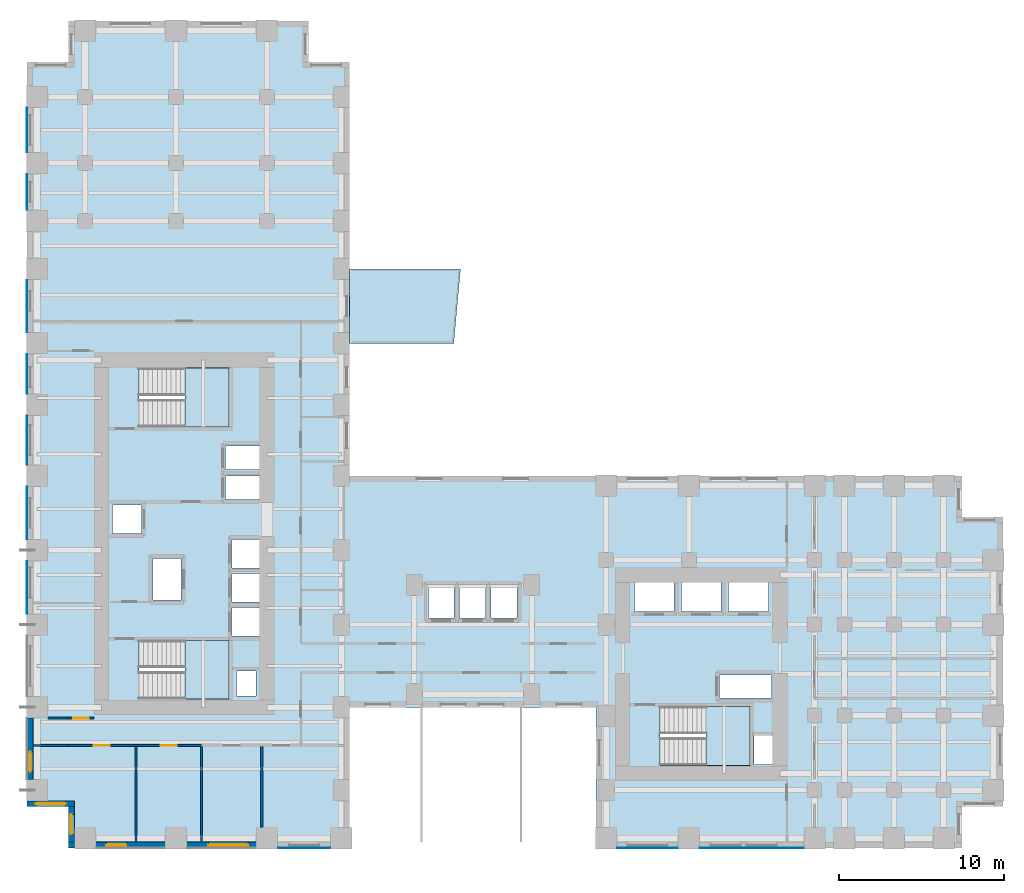
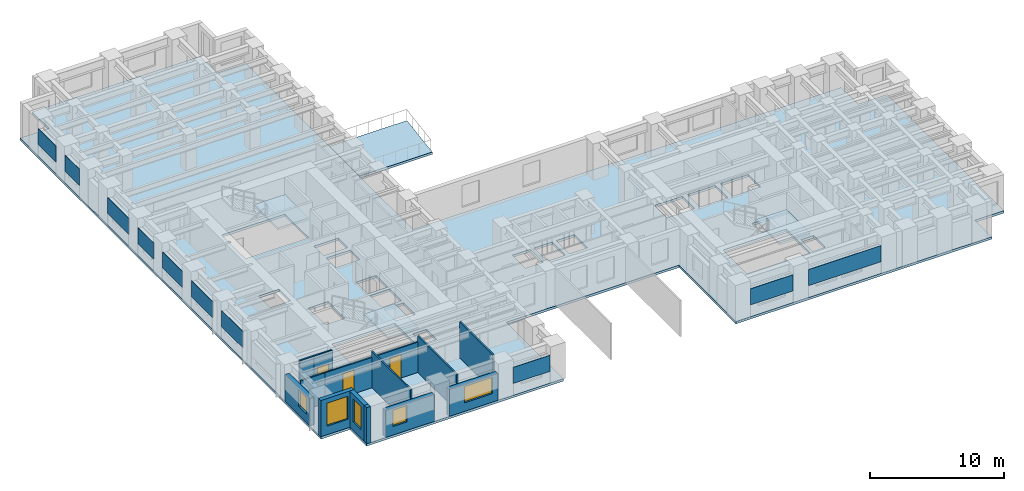
# One storey, part 3 of 11: 14 walls, 10 plates, 5 slabs, 5 windows, 3 doors, 8 openings, 3 elements without a shape of their own.
"""IFC4 building model written with IfcOpenShell, lengths in metres."""

from ifc_helpers import new_model, si_unit, direction, frame, frame_2d, origin, origin_2d, place, context, subcontext, project, spatial, polyline, rectangle, outline, extrude, source, transform, mapped, material, layer, layer_set, type_object, element, fill, aggregate, save


model = new_model("IFC4")

# Units and contexts
model_context = context("Model", 3, precision=1e-05, world=origin(), true_north=direction((0.0, 1.0)))
body_context = subcontext(model_context, "Body", "Model", "MODEL_VIEW")
ifc_project = project(units=[si_unit("LENGTHUNIT", "METRE"), si_unit("AREAUNIT", "SQUARE_METRE"), si_unit("VOLUMEUNIT", "CUBIC_METRE"), si_unit("PLANEANGLEUNIT", "RADIAN"), si_unit("MASSUNIT", "GRAM", prefix="KILO")], contexts=[model_context])

# Site, building, storey
site_placement = place(None, origin())
site = spatial("IfcSite", under=ifc_project, at=site_placement, CompositionType="ELEMENT")
building_placement = place(site_placement, origin())
building = spatial("IfcBuilding", under=site, at=building_placement, Name="Kharzan Plaza Tower", CompositionType="ELEMENT")
storey_placement = place(building_placement, frame((0.0, 0.0, 69.300048828125)))
storey = spatial("IfcBuildingStorey", under=building, at=storey_placement, Name="L18", CompositionType="ELEMENT", Elevation=69.300048828125)

# Slab
ifc_material_1 = material(Name="Concrete C40/50", Category="concrete")
ifc_layer_1 = layer(ifc_material_1, 0.219970703125)
ifc_layer_set_1 = layer_set([ifc_layer_1], Name="Concrete C40/50")
slab_type_1 = type_object("IfcSlabType", Name="SL-FLOOR-220", PredefinedType="FLOOR", material=ifc_layer_set_1)
slab_1_placement = place(storey_placement, frame((0.0, 0.0, -0.219970703125)))
element("IfcSlab", 1, at=slab_1_placement, inside=storey, type_object=slab_type_1, Name="L18 Composite Structural Floor Slab 220 mm", PredefinedType="FLOOR", context=body_context, shape_type="SweptSolid", body=[
    extrude(outline(polyline([(34.39990234375, 22.5), (19.5, 22.5), (19.5, 47.5), (17.0, 47.5), (17.0, 50.0), (2.5, 50.0), (2.5, 47.5), (0.0, 47.5), (0.0, 2.5), (2.5, 2.5), (2.5, 0.0), (19.5, 0.0), (19.5, 8.5), (34.39990234375, 8.5), (34.39990234375, 0.0), (56.5, 0.0), (56.5, 2.5), (59.0, 2.5), (59.0, 20.0), (56.5, 20.0), (56.5, 22.5), (34.39990234375, 22.5)]), holes=[polyline([(13.85009765625, 9.199951171875), (13.85009765625, 10.699951171875), (12.64990234375, 10.699951171875), (12.64990234375, 9.199951171875), (13.85009765625, 9.199951171875)]), polyline([(12.199951171875, 9.0), (12.199951171875, 12.550048828125), (6.75, 12.550048828125), (6.75, 9.0), (12.199951171875, 9.0)]), polyline([(14.10009765625, 12.800048828125), (14.10009765625, 14.530029296875), (12.39990234375, 14.530029296875), (12.39990234375, 12.800048828125), (14.10009765625, 12.800048828125)]), polyline([(14.10009765625, 14.8701171875), (14.10009765625, 16.60009765625), (12.39990234375, 16.60009765625), (12.39990234375, 14.8701171875), (14.10009765625, 14.8701171875)]), polyline([(9.300048828125, 15.0), (9.300048828125, 17.5), (7.60009765625, 17.5), (7.60009765625, 15.0), (9.300048828125, 15.0)]), polyline([(14.10009765625, 16.93994140625), (14.10009765625, 18.64990234375), (12.39990234375, 18.64990234375), (12.39990234375, 16.93994140625), (14.10009765625, 16.93994140625)]), polyline([(6.89990234375, 19.010009765625), (6.89990234375, 20.72998046875), (5.14990234375, 20.72998046875), (5.14990234375, 19.010009765625), (6.89990234375, 19.010009765625)]), polyline([(12.0, 21.070068359375), (14.10009765625, 21.070068359375), (14.10009765625, 22.489990234375), (12.0, 22.489990234375), (12.0, 21.070068359375)]), polyline([(12.0, 22.8701171875), (14.10009765625, 22.8701171875), (14.10009765625, 24.2900390625), (12.0, 24.2900390625), (12.0, 22.8701171875)]), polyline([(12.199951171875, 25.449951171875), (12.199951171875, 29.0), (6.75, 29.0), (6.75, 25.449951171875), (12.199951171875, 25.449951171875)]), polyline([(45.050048828125, 5.050048828125), (45.050048828125, 6.800048828125), (43.949951171875, 6.800048828125), (43.949951171875, 5.050048828125), (45.050048828125, 5.050048828125)]), polyline([(43.699951171875, 5.0), (43.699951171875, 8.550048828125), (38.25, 8.550048828125), (38.25, 5.0), (43.699951171875, 5.0)]), polyline([(41.85009765625, 9.070068359375), (45.0, 9.070068359375), (45.0, 10.469970703125), (41.85009765625, 10.469970703125), (41.85009765625, 9.070068359375)]), polyline([(24.25, 13.89990234375), (25.800048828125, 13.89990234375), (25.800048828125, 15.85009765625), (24.25, 15.85009765625), (24.25, 13.89990234375)]), polyline([(27.699951171875, 13.89990234375), (27.699951171875, 15.85009765625), (26.14990234375, 15.85009765625), (26.14990234375, 13.89990234375), (27.699951171875, 13.89990234375)]), polyline([(29.60009765625, 13.89990234375), (29.60009765625, 15.85009765625), (28.050048828125, 15.85009765625), (28.050048828125, 13.89990234375), (29.60009765625, 13.89990234375)]), polyline([(39.10009765625, 14.300048828125), (39.10009765625, 16.14990234375), (36.699951171875, 16.14990234375), (36.699951171875, 14.300048828125), (39.10009765625, 14.300048828125)]), polyline([(39.550048828125, 14.300048828125), (41.949951171875, 14.300048828125), (41.949951171875, 16.14990234375), (39.550048828125, 16.14990234375), (39.550048828125, 14.300048828125)]), polyline([(42.39990234375, 14.300048828125), (44.800048828125, 14.300048828125), (44.800048828125, 16.14990234375), (42.39990234375, 16.14990234375), (42.39990234375, 14.300048828125)])]), origin(), (0.0, 0.0, 1.0), 0.219970703125),
])

# Stair, slab
stair_type_1 = type_object("IfcStairType", Name="STR-ST-1", PredefinedType="HALF_TURN_STAIR", material=ifc_material_1)
stair_1_placement = place(storey_placement, origin())
stair_1 = element("IfcStair", 2, at=stair_1_placement, inside=storey, type_object=stair_type_1, Name="L18 Protected Exit Stair ST-1", PredefinedType="HALF_TURN_STAIR")
ifc_layer_2 = layer(ifc_material_1, 0.219970703125)
ifc_layer_set_2 = layer_set([ifc_layer_2], Name="Concrete C40/50")
slab_type_2 = type_object("IfcSlabType", Name="SL-LANDING-220", PredefinedType="LANDING", material=ifc_layer_set_2)
slab_2_placement = place(storey_placement, frame((0.0, 0.0, 1.599853515625)))
slab_2 = element("IfcSlab", 3, at=slab_2_placement, type_object=slab_type_2, Name="ST-1 landing 1", PredefinedType="LANDING", context=body_context, shape_type="SweptSolid", body=[
    extrude(outline(polyline([(9.550048828125, 9.0), (12.199951171875, 9.0), (12.199951171875, 12.550048828125), (9.550048828125, 12.550048828125), (9.550048828125, 9.0)])), origin(), (0.0, 0.0, 1.0), 0.2001953125),
])
aggregate(stair_1, [slab_2])

stair_type_2 = type_object("IfcStairType", Name="STR-ST-2", PredefinedType="HALF_TURN_STAIR", material=ifc_material_1)
stair_2_placement = place(storey_placement, origin())
stair_2 = element("IfcStair", 4, at=stair_2_placement, inside=storey, type_object=stair_type_2, Name="L18 Protected Exit Stair ST-2", PredefinedType="HALF_TURN_STAIR")
slab_3_placement = place(storey_placement, frame((0.0, 0.0, 1.599853515625)))
slab_3 = element("IfcSlab", 5, at=slab_3_placement, type_object=slab_type_2, Name="ST-2 landing 1", PredefinedType="LANDING", context=body_context, shape_type="SweptSolid", body=[
    extrude(outline(polyline([(9.550048828125, 25.449951171875), (12.199951171875, 25.449951171875), (12.199951171875, 29.0), (9.550048828125, 29.0), (9.550048828125, 25.449951171875)])), origin(), (0.0, 0.0, 1.0), 0.2001953125),
])
aggregate(stair_2, [slab_3])

stair_type_3 = type_object("IfcStairType", Name="STR-ST-3", PredefinedType="HALF_TURN_STAIR", material=ifc_material_1)
stair_3_placement = place(storey_placement, origin())
stair_3 = element("IfcStair", 6, at=stair_3_placement, inside=storey, type_object=stair_type_3, Name="L18 Protected Exit Stair ST-3", PredefinedType="HALF_TURN_STAIR")
slab_4_placement = place(storey_placement, frame((0.0, 0.0, 1.599853515625)))
slab_4 = element("IfcSlab", 7, at=slab_4_placement, type_object=slab_type_2, Name="ST-3 landing 1", PredefinedType="LANDING", context=body_context, shape_type="SweptSolid", body=[
    extrude(outline(polyline([(41.050048828125, 5.0), (43.699951171875, 5.0), (43.699951171875, 8.550048828125), (41.050048828125, 8.550048828125), (41.050048828125, 5.0)])), origin(), (0.0, 0.0, 1.0), 0.2001953125),
])
aggregate(stair_3, [slab_4])

# Slab
ifc_layer_3 = layer(ifc_material_1, 0.215087890625)
ifc_layer_set_3 = layer_set([ifc_layer_3], Name="Concrete C40/50")
slab_type_3 = type_object("IfcSlabType", Name="SL-TRAY-215", PredefinedType="ROOF", material=ifc_layer_set_3)
slab_5_placement = place(storey_placement, frame((0.0, 0.0, -0.215087890625)))
element("IfcSlab", 8, at=slab_5_placement, inside=storey, type_object=slab_type_3, Name="L18 Sky Terrace Tray Slab", PredefinedType="ROOF", context=body_context, shape_type="SweptSolid", body=[
    extrude(outline(polyline([(19.5, 30.5), (25.7900390625, 30.5), (26.199951171875, 35.0), (19.5, 35.0), (19.5, 30.5)])), origin(), (0.0, 0.0, 1.0), 0.215087890625),
])

# Plates
ifc_material_2 = material(Name="Perforated Bronze-Anodized Aluminium", Category="aluminium")
ifc_layer_4 = layer(ifc_material_2, 0.030029296875)
ifc_layer_set_4 = layer_set([ifc_layer_4], Name="Perforated Bronze-Anodized Aluminium")
plate_type = type_object("IfcPlateType", Name="PLT-MASH-SCREEN", PredefinedType="SHEET", material=ifc_layer_set_4)
shared_shape_1 = source(origin(), body_context, "Body", "SweptSolid", [
    extrude(rectangle(XDim=2.6640625, YDim=0.030029296875, at=origin_2d()), origin(), (0.0, 0.0, 1.0), 1.469970703125),
])
plate_1_placement = place(storey_placement, frame((-0.012939453125, 43.39990234375, 1.0947265625), z_axis=(0.0, 0.0, 1.0), x_axis=(0.0, -1.0, 0.0)))
element("IfcPlate", 9, at=plate_1_placement, inside=storey, type_object=plate_type, Name="L18 Perforated Mashrabiya Solar Screen", PredefinedType="SHEET", context=body_context, shape_type="MappedRepresentation", body=[
    mapped(shared_shape_1, transform((0.0, 0.0, 0.0), x_axis=(1.0, 0.0, 0.0), y_axis=(0.0, 1.0, 0.0), z_axis=(0.0, 0.0, 1.0))),
])
shared_shape_2 = source(origin(), body_context, "Body", "SweptSolid", [
    extrude(rectangle(XDim=2.1640625, YDim=0.030029296875, at=origin_2d()), origin(), (0.0, 0.0, 1.0), 1.469970703125),
])
plate_2_placement = place(storey_placement, frame((-0.012939453125, 39.64990234375, 1.0947265625), z_axis=(0.0, 0.0, 1.0), x_axis=(0.0, -1.0, 0.0)))
element("IfcPlate", 10, at=plate_2_placement, inside=storey, type_object=plate_type, Name="L18 Perforated Mashrabiya Solar Screen", PredefinedType="SHEET", context=body_context, shape_type="MappedRepresentation", body=[
    mapped(shared_shape_2, transform((0.0, 0.0, 0.0), x_axis=(1.0, 0.0, 0.0), y_axis=(0.0, 1.0, 0.0), z_axis=(0.0, 0.0, 1.0))),
])
shared_shape_3 = source(origin(), body_context, "Body", "SweptSolid", [
    extrude(rectangle(XDim=3.1640625, YDim=0.030029296875, at=origin_2d()), origin(), (0.0, 0.0, 1.0), 1.469970703125),
])
for number, where, z_axis, x_axis, name in (
    (11, (-0.012939453125, 32.75, 1.0947265625), (0.0, 0.0, 1.0), (0.0, -1.0, 0.0), "L18 Perforated Mashrabiya Solar Screen"),
    (12, (-0.012939453125, 20.25, 1.0947265625), (0.0, 0.0, 1.0), (0.0, -1.0, 0.0), "L18 Perforated Mashrabiya Solar Screen"),
    (13, (-0.012939453125, 15.75, 1.0947265625), (0.0, 0.0, 1.0), (0.0, -1.0, 0.0), "L18 Perforated Mashrabiya Solar Screen"),
    (14, (16.75, -0.012939453125, 1.0947265625), (0.0, 0.0, 1.0), (1.0, 0.0, 0.0), "L18 Perforated Mashrabiya Solar Screen"),
):
    element("IfcPlate", number, at=place(storey_placement, frame(where, z_axis=z_axis, x_axis=x_axis)), inside=storey, type_object=plate_type, Name=name, PredefinedType="SHEET", context=body_context, shape_type="MappedRepresentation", body=[
        mapped(shared_shape_3, transform((0.0, 0.0, 0.0), x_axis=(1.0, 0.0, 0.0), y_axis=(0.0, 1.0, 0.0), z_axis=(0.0, 0.0, 1.0))),
    ])
shared_shape_4 = source(origin(), body_context, "Body", "SweptSolid", [
    extrude(rectangle(XDim=2.364013671875, YDim=0.030029296875, at=origin_2d()), origin(), (0.0, 0.0, 1.0), 1.469970703125),
])
plate_3_placement = place(storey_placement, frame((-0.012939453125, 28.64990234375, 1.0947265625), z_axis=(0.0, 0.0, 1.0), x_axis=(0.0, -1.0, 0.0)))
element("IfcPlate", 15, at=plate_3_placement, inside=storey, type_object=plate_type, Name="L18 Perforated Mashrabiya Solar Screen", PredefinedType="SHEET", context=body_context, shape_type="MappedRepresentation", body=[
    mapped(shared_shape_4, transform((0.0, 0.0, 0.0), x_axis=(1.0, 0.0, 0.0), y_axis=(0.0, 1.0, 0.0), z_axis=(0.0, 0.0, 1.0))),
])
shared_shape_5 = source(origin(), body_context, "Body", "SweptSolid", [
    extrude(rectangle(XDim=2.964111328125, YDim=0.030029296875, at=origin_2d()), origin(), (0.0, 0.0, 1.0), 1.469970703125),
])
plate_4_placement = place(storey_placement, frame((-0.012939453125, 24.64990234375, 1.0947265625), z_axis=(0.0, 0.0, 1.0), x_axis=(0.0, -1.0, 0.0)))
element("IfcPlate", 16, at=plate_4_placement, inside=storey, type_object=plate_type, Name="L18 Perforated Mashrabiya Solar Screen", PredefinedType="SHEET", context=body_context, shape_type="MappedRepresentation", body=[
    mapped(shared_shape_5, transform((0.0, 0.0, 0.0), x_axis=(1.0, 0.0, 0.0), y_axis=(0.0, 1.0, 0.0), z_axis=(0.0, 0.0, 1.0))),
])
shared_shape_6 = source(origin(), body_context, "Body", "SweptSolid", [
    extrude(rectangle(XDim=3.6640625, YDim=0.030029296875, at=origin_2d()), origin(), (0.0, 0.0, 1.0), 1.469970703125),
])
plate_5_placement = place(storey_placement, frame((37.5, -0.012939453125, 1.0947265625), z_axis=(0.0, 0.0, 1.0), x_axis=(1.0, 0.0, 0.0)))
element("IfcPlate", 17, at=plate_5_placement, inside=storey, type_object=plate_type, Name="L18 Perforated Mashrabiya Solar Screen", PredefinedType="SHEET", context=body_context, shape_type="MappedRepresentation", body=[
    mapped(shared_shape_6, transform((0.0, 0.0, 0.0), x_axis=(1.0, 0.0, 0.0), y_axis=(0.0, 1.0, 0.0), z_axis=(0.0, 0.0, 1.0))),
])
shared_shape_7 = source(origin(), body_context, "Body", "SweptSolid", [
    extrude(rectangle(XDim=6.263916015625, YDim=0.030029296875, at=origin_2d()), origin(), (0.0, 0.0, 1.0), 1.469970703125),
])
plate_6_placement = place(storey_placement, frame((43.800048828125, -0.012939453125, 1.0947265625), z_axis=(0.0, 0.0, 1.0), x_axis=(1.0, 0.0, 0.0)))
element("IfcPlate", 18, at=plate_6_placement, inside=storey, type_object=plate_type, Name="L18 Perforated Mashrabiya Solar Screen", PredefinedType="SHEET", context=body_context, shape_type="MappedRepresentation", body=[
    mapped(shared_shape_7, transform((0.0, 0.0, 0.0), x_axis=(1.0, 0.0, 0.0), y_axis=(0.0, 1.0, 0.0), z_axis=(0.0, 0.0, 1.0))),
])

# Wall, opening, window
ifc_layer_5 = layer(ifc_material_1, 0.35009765625)
ifc_layer_set_5 = layer_set([ifc_layer_5], Name="Concrete C40/50")
wall_type_1 = type_object("IfcWallType", Name="WL-EXT-MAS-Z1", PredefinedType="SOLIDWALL", material=ifc_layer_set_5)
wall_1_placement = place(storey_placement, frame((0.175048828125, 7.85205078125, 0.0), z_axis=(0.0, 0.0, 1.0), x_axis=(0.0, -1.0, 0.0)))
wall_1 = element("IfcWall", 19, at=wall_1_placement, inside=storey, type_object=wall_type_1, Name="L18 Masonry-Frame Exterior Wall 19", PredefinedType="SOLIDWALL", context=body_context, shape_type="SweptSolid", body=[
    extrude(rectangle(XDim=3.7041015625, YDim=0.35009765625, at=frame_2d((1.85205078125, 0.0))), origin(), (0.0, 0.0, 1.0), 2.449951171875),
])
opening_1_placement = place(wall_1_placement, frame((2.04296875, 0.0, 0.780029296875)))
opening_1 = element("IfcOpeningElement", 20, at=opening_1_placement, cuts=wall_1, Name="Opening W3", PredefinedType="OPENING", context=body_context, shape_type="SweptSolid", body=[
    extrude(rectangle(XDim=1.199951171875, YDim=1.489990234375, at=frame_2d((0.60009765625, 0.7451171875))), frame((0.0, 0.18505859375, 0.0), z_axis=(0.0, -1.0, 0.0), x_axis=(1.0, 0.0, 0.0)), (0.0, 0.0, 1.0), 0.3701171875),
])
ifc_material_3 = material(Name="Low-E Double Glazing", Category="glass")
window_type_1 = type_object("IfcWindowType", Name="WN-REC-1200x2100", PartitioningType="SINGLE_PANEL", PredefinedType="WINDOW", material=ifc_material_3)
shared_shape_8 = source(origin(), body_context, "Body", "SweptSolid", [
    extrude(rectangle(XDim=1.199951171875, YDim=1.489990234375, at=frame_2d((0.60009765625, 0.7451171875))), frame((0.0, 0.030029296875, 0.0), z_axis=(0.0, -1.0, 0.0), x_axis=(1.0, 0.0, 0.0)), (0.0, 0.0, 1.0), 0.06005859375),
])
window_1_placement = place(opening_1_placement, origin())
window_1 = element("IfcWindow", 21, at=window_1_placement, inside=storey, type_object=window_type_1, Name="L18 Recessed Solar-Control Window 19-1", OverallHeight=1.489990234375, OverallWidth=1.199951171875, PartitioningType="SINGLE_PANEL", PredefinedType="WINDOW", context=body_context, shape_type="MappedRepresentation", body=[
    mapped(shared_shape_8, transform((0.0, 0.0, 0.0), x_axis=(1.0, 0.0, 0.0), y_axis=(0.0, 1.0, 0.0), z_axis=(0.0, 0.0, 1.0))),
])
fill(opening_1, window_1)

wall_2_placement = place(storey_placement, frame((0.0, 2.675048828125, 0.0), z_axis=(0.0, 0.0, 1.0), x_axis=(1.0, 0.0, 0.0)))
wall_2 = element("IfcWall", 22, at=wall_2_placement, inside=storey, type_object=wall_type_1, Name="L18 Masonry-Frame Exterior Wall 20", PredefinedType="SOLIDWALL", context=body_context, shape_type="SweptSolid", body=[
    extrude(rectangle(XDim=2.85009765625, YDim=0.35009765625, at=frame_2d((1.425048828125, 0.0))), origin(), (0.0, 0.0, 1.0), 3.304931640625),
])
opening_2_placement = place(wall_2_placement, frame((0.52490234375, 0.0, 0.780029296875)))
opening_2 = element("IfcOpeningElement", 23, at=opening_2_placement, cuts=wall_2, Name="Opening W1", PredefinedType="OPENING", context=body_context, shape_type="SweptSolid", body=[
    extrude(rectangle(XDim=1.800048828125, YDim=2.10009765625, at=frame_2d((0.89990234375, 1.050048828125))), frame((0.0, 0.18505859375, 0.0), z_axis=(0.0, -1.0, 0.0), x_axis=(1.0, 0.0, 0.0)), (0.0, 0.0, 1.0), 0.3701171875),
])
window_type_2 = type_object("IfcWindowType", Name="WN-REC-1800x2100", PartitioningType="SINGLE_PANEL", PredefinedType="WINDOW", material=ifc_material_3)
shared_shape_9 = source(origin(), body_context, "Body", "SweptSolid", [
    extrude(rectangle(XDim=1.800048828125, YDim=2.10009765625, at=frame_2d((0.89990234375, 1.050048828125))), frame((0.0, 0.030029296875, 0.0), z_axis=(0.0, -1.0, 0.0), x_axis=(1.0, 0.0, 0.0)), (0.0, 0.0, 1.0), 0.06005859375),
])
window_2_placement = place(opening_2_placement, origin())
window_2 = element("IfcWindow", 24, at=window_2_placement, inside=storey, type_object=window_type_2, Name="L18 Recessed Solar-Control Window 20-1", OverallHeight=2.10009765625, OverallWidth=1.800048828125, PartitioningType="SINGLE_PANEL", PredefinedType="WINDOW", context=body_context, shape_type="MappedRepresentation", body=[
    mapped(shared_shape_9, transform((0.0, 0.0, 0.0), x_axis=(1.0, 0.0, 0.0), y_axis=(0.0, 1.0, 0.0), z_axis=(0.0, 0.0, 1.0))),
])
fill(opening_2, window_2)

wall_3_placement = place(storey_placement, frame((2.675048828125, 2.501953125, 0.0), z_axis=(0.0, 0.0, 1.0), x_axis=(0.0, -1.0, 0.0)))
wall_3 = element("IfcWall", 25, at=wall_3_placement, inside=storey, type_object=wall_type_1, Name="L18 Masonry-Frame Exterior Wall 21", PredefinedType="SOLIDWALL", context=body_context, shape_type="SweptSolid", body=[
    extrude(rectangle(XDim=2.154052734375, YDim=0.35009765625, at=frame_2d((1.0771484375, 0.0))), origin(), (0.0, 0.0, 1.0), 3.304931640625),
])
opening_3_placement = place(wall_3_placement, frame((0.47705078125, 0.0, 0.780029296875)))
opening_3 = element("IfcOpeningElement", 26, at=opening_3_placement, cuts=wall_3, Name="Opening W3", PredefinedType="OPENING", context=body_context, shape_type="SweptSolid", body=[
    extrude(rectangle(XDim=1.199951171875, YDim=2.10009765625, at=frame_2d((0.60009765625, 1.050048828125))), frame((0.0, 0.18505859375, 0.0), z_axis=(0.0, -1.0, 0.0), x_axis=(1.0, 0.0, 0.0)), (0.0, 0.0, 1.0), 0.3701171875),
])
shared_shape_10 = source(origin(), body_context, "Body", "SweptSolid", [
    extrude(rectangle(XDim=1.199951171875, YDim=2.10009765625, at=frame_2d((0.60009765625, 1.050048828125))), frame((0.0, 0.030029296875, 0.0), z_axis=(0.0, -1.0, 0.0), x_axis=(1.0, 0.0, 0.0)), (0.0, 0.0, 1.0), 0.06005859375),
])
window_3_placement = place(opening_3_placement, origin())
window_3 = element("IfcWindow", 27, at=window_3_placement, inside=storey, type_object=window_type_1, Name="L18 Recessed Solar-Control Window 21-1", OverallHeight=2.10009765625, OverallWidth=1.199951171875, PartitioningType="SINGLE_PANEL", PredefinedType="WINDOW", context=body_context, shape_type="MappedRepresentation", body=[
    mapped(shared_shape_10, transform((0.0, 0.0, 0.0), x_axis=(1.0, 0.0, 0.0), y_axis=(0.0, 1.0, 0.0), z_axis=(0.0, 0.0, 1.0))),
])
fill(opening_3, window_3)

wall_4_placement = place(storey_placement, frame((4.14794921875, 0.175048828125, 0.0), z_axis=(0.0, 0.0, 1.0), x_axis=(1.0, 0.0, 0.0)))
wall_4 = element("IfcWall", 28, at=wall_4_placement, inside=storey, type_object=wall_type_1, Name="L18 Masonry-Frame Exterior Wall 23", PredefinedType="SOLIDWALL", context=body_context, shape_type="SweptSolid", body=[
    extrude(rectangle(XDim=4.2041015625, YDim=0.35009765625, at=frame_2d((2.10205078125, 0.0))), origin(), (0.0, 0.0, 1.0), 2.449951171875),
])
opening_4_placement = place(wall_4_placement, frame((0.64697265625, 0.0, 0.780029296875)))
opening_4 = element("IfcOpeningElement", 29, at=opening_4_placement, cuts=wall_4, Name="Opening W3", PredefinedType="OPENING", context=body_context, shape_type="SweptSolid", body=[
    extrude(rectangle(XDim=1.199951171875, YDim=1.489990234375, at=frame_2d((0.60009765625, 0.7451171875))), frame((0.0, 0.18505859375, 0.0), z_axis=(0.0, -1.0, 0.0), x_axis=(1.0, 0.0, 0.0)), (0.0, 0.0, 1.0), 0.3701171875),
])
window_4_placement = place(opening_4_placement, origin())
window_4 = element("IfcWindow", 30, at=window_4_placement, inside=storey, type_object=window_type_1, Name="L18 Recessed Solar-Control Window 23-1", OverallHeight=1.489990234375, OverallWidth=1.199951171875, PartitioningType="SINGLE_PANEL", PredefinedType="WINDOW", context=body_context, shape_type="MappedRepresentation", body=[
    mapped(shared_shape_8, transform((0.0, 0.0, 0.0), x_axis=(1.0, 0.0, 0.0), y_axis=(0.0, 1.0, 0.0), z_axis=(0.0, 0.0, 1.0))),
])
fill(opening_4, window_4)

wall_5_placement = place(storey_placement, frame((9.64794921875, 0.175048828125, 0.0), z_axis=(0.0, 0.0, 1.0), x_axis=(1.0, 0.0, 0.0)))
wall_5 = element("IfcWall", 31, at=wall_5_placement, inside=storey, type_object=wall_type_1, Name="L18 Masonry-Frame Exterior Wall 24", PredefinedType="SOLIDWALL", context=body_context, shape_type="SweptSolid", body=[
    extrude(rectangle(XDim=4.2041015625, YDim=0.35009765625, at=frame_2d((2.10205078125, 0.0))), origin(), (0.0, 0.0, 1.0), 2.449951171875),
])
opening_5_placement = place(wall_5_placement, frame((1.31494140625, 0.0, 0.780029296875)))
opening_5 = element("IfcOpeningElement", 32, at=opening_5_placement, cuts=wall_5, Name="Opening W2", PredefinedType="OPENING", context=body_context, shape_type="SweptSolid", body=[
    extrude(rectangle(XDim=2.39990234375, YDim=1.489990234375, at=frame_2d((1.199951171875, 0.7451171875))), frame((0.0, 0.18505859375, 0.0), z_axis=(0.0, -1.0, 0.0), x_axis=(1.0, 0.0, 0.0)), (0.0, 0.0, 1.0), 0.3701171875),
])
window_type_3 = type_object("IfcWindowType", Name="WN-REC-2400x2100", PartitioningType="SINGLE_PANEL", PredefinedType="WINDOW", material=ifc_material_3)
shared_shape_11 = source(origin(), body_context, "Body", "SweptSolid", [
    extrude(rectangle(XDim=2.39990234375, YDim=1.489990234375, at=frame_2d((1.199951171875, 0.7451171875))), frame((0.0, 0.030029296875, 0.0), z_axis=(0.0, -1.0, 0.0), x_axis=(1.0, 0.0, 0.0)), (0.0, 0.0, 1.0), 0.06005859375),
])
window_5_placement = place(opening_5_placement, origin())
window_5 = element("IfcWindow", 33, at=window_5_placement, inside=storey, type_object=window_type_3, Name="L18 Wide Recessed Solar-Control Window 24-1", OverallHeight=1.489990234375, OverallWidth=2.39990234375, PartitioningType="SINGLE_PANEL", PredefinedType="WINDOW", context=body_context, shape_type="MappedRepresentation", body=[
    mapped(shared_shape_11, transform((0.0, 0.0, 0.0), x_axis=(1.0, 0.0, 0.0), y_axis=(0.0, 1.0, 0.0), z_axis=(0.0, 0.0, 1.0))),
])
fill(opening_5, window_5)

# Wall, opening, door
ifc_material_4 = material(Name="Fire-Rated Gypsum Board Partition", Category="gypsum")
ifc_layer_6 = layer(ifc_material_4, 0.125)
ifc_layer_set_6 = layer_set([ifc_layer_6], Name="Fire-Rated Gypsum Board Partition")
wall_type_2 = type_object("IfcWallType", Name="WL-INT-PART-125", PredefinedType="PARTITIONING", material=ifc_layer_set_6)
wall_6_placement = place(storey_placement, frame((2.449951171875, 7.85009765625, 0.0), z_axis=(0.0, 0.0, 1.0), x_axis=(1.0, 0.0, 0.0)))
wall_6 = element("IfcWall", 34, at=wall_6_placement, inside=storey, type_object=wall_type_2, Name="L18 Interior Partition SH-RWSD", PredefinedType="PARTITIONING", context=body_context, shape_type="SweptSolid", body=[
    extrude(rectangle(XDim=1.60009765625, YDim=0.125, at=frame_2d((0.800048828125, 0.0))), origin(), (0.0, 0.0, 1.0), 3.304931640625),
])
opening_6_placement = place(wall_6_placement, frame((0.324951171875, 0.0, 0.0)))
opening_6 = element("IfcOpeningElement", 35, at=opening_6_placement, cuts=wall_6, Name="Opening OD1", PredefinedType="OPENING", context=body_context, shape_type="SweptSolid", body=[
    extrude(rectangle(XDim=0.949951171875, YDim=2.14990234375, at=frame_2d((0.47509765625, 1.074951171875))), frame((0.0, 0.072509765625, 0.0), z_axis=(0.0, -1.0, 0.0), x_axis=(1.0, 0.0, 0.0)), (0.0, 0.0, 1.0), 0.14501953125),
])
ifc_material_5 = material(Name="Acoustic Solid-Core Stained Oak", Category="timber")
door_type = type_object("IfcDoorType", Name="DR-OFF-SINGLE", OperationType="NOTDEFINED", PredefinedType="DOOR", material=ifc_material_5)
shared_shape_12 = source(origin(), body_context, "Body", "SweptSolid", [
    extrude(rectangle(XDim=0.949951171875, YDim=2.14990234375, at=frame_2d((0.47509765625, 1.074951171875))), frame((0.0, 0.02490234375, 0.0), z_axis=(0.0, -1.0, 0.0), x_axis=(1.0, 0.0, 0.0)), (0.0, 0.0, 1.0), 0.050048828125),
])
door_1_placement = place(opening_6_placement, origin())
door_1 = element("IfcDoor", 36, at=door_1_placement, inside=storey, type_object=door_type, Name="L18 West Office 1 Door", OperationType="SINGLE_SWING_RIGHT", OverallHeight=2.14990234375, OverallWidth=0.949951171875, PredefinedType="DOOR", context=body_context, shape_type="MappedRepresentation", body=[
    mapped(shared_shape_12, transform((0.0, 0.0, 0.0), x_axis=(1.0, 0.0, 0.0), y_axis=(0.0, 1.0, 0.0), z_axis=(0.0, 0.0, 1.0))),
])
fill(opening_6, door_1)

wall_7_placement = place(storey_placement, frame((2.449951171875, 6.199951171875, 0.0), z_axis=(0.0, 0.0, 1.0), x_axis=(1.0, 0.0, 0.0)))
wall_7 = element("IfcWall", 37, at=wall_7_placement, inside=storey, type_object=wall_type_2, Name="L18 Interior Partition SH-SS-1", PredefinedType="PARTITIONING", context=body_context, shape_type="SweptSolid", body=[
    extrude(rectangle(XDim=4.1220703125, YDim=0.125, at=frame_2d((2.06103515625, 0.0))), origin(), (0.0, 0.0, 1.0), 2.76806640625),
])
opening_7_placement = place(wall_7_placement, frame((1.5859375, 0.0, 0.0)))
opening_7 = element("IfcOpeningElement", 38, at=opening_7_placement, cuts=wall_7, Name="Opening OD1", PredefinedType="OPENING", context=body_context, shape_type="SweptSolid", body=[
    extrude(rectangle(XDim=0.949951171875, YDim=2.14990234375, at=frame_2d((0.47509765625, 1.074951171875))), frame((0.0, 0.072509765625, 0.0), z_axis=(0.0, -1.0, 0.0), x_axis=(1.0, 0.0, 0.0)), (0.0, 0.0, 1.0), 0.14501953125),
])
door_2_placement = place(opening_7_placement, origin())
door_2 = element("IfcDoor", 39, at=door_2_placement, inside=storey, type_object=door_type, Name="L18 Executive Tea Pantry Door", OperationType="SINGLE_SWING_RIGHT", OverallHeight=2.14990234375, OverallWidth=0.949951171875, PredefinedType="DOOR", context=body_context, shape_type="MappedRepresentation", body=[
    mapped(shared_shape_12, transform((0.0, 0.0, 0.0), x_axis=(1.0, 0.0, 0.0), y_axis=(0.0, 1.0, 0.0), z_axis=(0.0, 0.0, 1.0))),
])
fill(opening_7, door_2)

wall_8_placement = place(storey_placement, frame((6.572021484375, 6.199951171875, 0.0), z_axis=(0.0, 0.0, 1.0), x_axis=(1.0, 0.0, 0.0)))
wall_8 = element("IfcWall", 40, at=wall_8_placement, inside=storey, type_object=wall_type_2, Name="L18 Interior Partition SH-SS-2", PredefinedType="PARTITIONING", context=body_context, shape_type="SweptSolid", body=[
    extrude(rectangle(XDim=3.971923828125, YDim=0.125, at=frame_2d((1.98583984375, 0.0))), origin(), (0.0, 0.0, 1.0), 2.76806640625),
])
opening_8_placement = place(wall_8_placement, frame((1.510986328125, 0.0, 0.0)))
opening_8 = element("IfcOpeningElement", 41, at=opening_8_placement, cuts=wall_8, Name="Opening OD1", PredefinedType="OPENING", context=body_context, shape_type="SweptSolid", body=[
    extrude(rectangle(XDim=0.949951171875, YDim=2.14990234375, at=frame_2d((0.47509765625, 1.074951171875))), frame((0.0, 0.072509765625, 0.0), z_axis=(0.0, -1.0, 0.0), x_axis=(1.0, 0.0, 0.0)), (0.0, 0.0, 1.0), 0.14501953125),
])
door_3_placement = place(opening_8_placement, origin())
door_3 = element("IfcDoor", 42, at=door_3_placement, inside=storey, type_object=door_type, Name="L18 Executive Tea Pantry Door", OperationType="SINGLE_SWING_LEFT", OverallHeight=2.14990234375, OverallWidth=0.949951171875, PredefinedType="DOOR", context=body_context, shape_type="MappedRepresentation", body=[
    mapped(shared_shape_12, transform((0.0, 0.0, 0.0), x_axis=(1.0, 0.0, 0.0), y_axis=(0.0, 1.0, 0.0), z_axis=(0.0, 0.0, 1.0))),
])
fill(opening_8, door_3)

# Walls
shared_shape_13 = source(origin(), body_context, "Body", "SweptSolid", [
    extrude(rectangle(XDim=0.35205078125, YDim=0.35009765625, at=frame_2d((0.176025390625, 0.0))), origin(), (0.0, 0.0, 1.0), 3.304931640625),
])
wall_9_placement = place(storey_placement, frame((2.5, 0.175048828125, 0.0), z_axis=(0.0, 0.0, 1.0), x_axis=(1.0, 0.0, 0.0)))
element("IfcWall", 43, at=wall_9_placement, inside=storey, type_object=wall_type_1, Name="L18 Masonry-Frame Exterior Wall 22", PredefinedType="SOLIDWALL", context=body_context, shape_type="MappedRepresentation", body=[
    mapped(shared_shape_13, transform((0.0, 0.0, 0.0), x_axis=(1.0, 0.0, 0.0), y_axis=(0.0, 1.0, 0.0), z_axis=(0.0, 0.0, 1.0))),
])
shared_shape_14 = source(origin(), body_context, "Body", "SweptSolid", [
    extrude(rectangle(XDim=2.097900390625, YDim=0.125, at=frame_2d((1.048828125, 0.0))), origin(), (0.0, 0.0, 1.0), 2.76806640625),
])
wall_10_placement = place(storey_placement, frame((0.35205078125, 6.199951171875, 0.0), z_axis=(0.0, 0.0, 1.0), x_axis=(1.0, 0.0, 0.0)))
element("IfcWall", 44, at=wall_10_placement, inside=storey, type_object=wall_type_2, Name="L18 Interior Partition SH-SS-EXT", PredefinedType="PARTITIONING", context=body_context, shape_type="MappedRepresentation", body=[
    mapped(shared_shape_14, transform((0.0, 0.0, 0.0), x_axis=(1.0, 0.0, 0.0), y_axis=(0.0, 1.0, 0.0), z_axis=(0.0, 0.0, 1.0))),
])
shared_shape_15 = source(origin(), body_context, "Body", "SweptSolid", [
    extrude(rectangle(XDim=1.18994140625, YDim=0.125, at=frame_2d((0.594970703125, 0.0))), origin(), (0.0, 0.0, 1.0), 3.304931640625),
])
wall_11_placement = place(storey_placement, frame((1.260009765625, 7.85009765625, 0.0), z_axis=(0.0, 0.0, 1.0), x_axis=(1.0, 0.0, 0.0)))
element("IfcWall", 45, at=wall_11_placement, inside=storey, type_object=wall_type_2, Name="L18 Interior Partition SH-RWS0", PredefinedType="PARTITIONING", context=body_context, shape_type="MappedRepresentation", body=[
    mapped(shared_shape_15, transform((0.0, 0.0, 0.0), x_axis=(1.0, 0.0, 0.0), y_axis=(0.0, 1.0, 0.0), z_axis=(0.0, 0.0, 1.0))),
])
shared_shape_16 = source(origin(), body_context, "Body", "SweptSolid", [
    extrude(rectangle(XDim=5.847900390625, YDim=0.125, at=frame_2d((2.923828125, 0.0))), origin(), (0.0, 0.0, 1.0), 3.304931640625),
])
for number, where, z_axis, x_axis, name in (
    (46, (6.572021484375, 0.35205078125, 0.0), (0.0, 0.0, 1.0), (0.0, 1.0, 0.0), "L18 Interior Partition SH-SV-1"),
    (47, (10.5439453125, 0.35205078125, 0.0), (0.0, 0.0, 1.0), (0.0, 1.0, 0.0), "L18 Interior Partition SH-SV-2"),
):
    element("IfcWall", number, at=place(storey_placement, frame(where, z_axis=z_axis, x_axis=x_axis)), inside=storey, type_object=wall_type_2, Name=name, PredefinedType="PARTITIONING", context=body_context, shape_type="MappedRepresentation", body=[
        mapped(shared_shape_16, transform((0.0, 0.0, 0.0), x_axis=(1.0, 0.0, 0.0), y_axis=(0.0, 1.0, 0.0), z_axis=(0.0, 0.0, 1.0))),
    ])
shared_shape_17 = source(origin(), body_context, "Body", "SweptSolid", [
    extrude(rectangle(XDim=4.93994140625, YDim=0.125, at=frame_2d((2.469970703125, 0.0))), origin(), (0.0, 0.0, 1.0), 3.304931640625),
])
wall_12_placement = place(storey_placement, frame((14.18505859375, 1.260009765625, 0.0), z_axis=(0.0, 0.0, 1.0), x_axis=(0.0, 1.0, 0.0)))
element("IfcWall", 48, at=wall_12_placement, inside=storey, type_object=wall_type_2, Name="L18 Interior Partition SH-SV-3", PredefinedType="PARTITIONING", context=body_context, shape_type="MappedRepresentation", body=[
    mapped(shared_shape_17, transform((0.0, 0.0, 0.0), x_axis=(1.0, 0.0, 0.0), y_axis=(0.0, 1.0, 0.0), z_axis=(0.0, 0.0, 1.0))),
])

save(model, "model.ifc")
